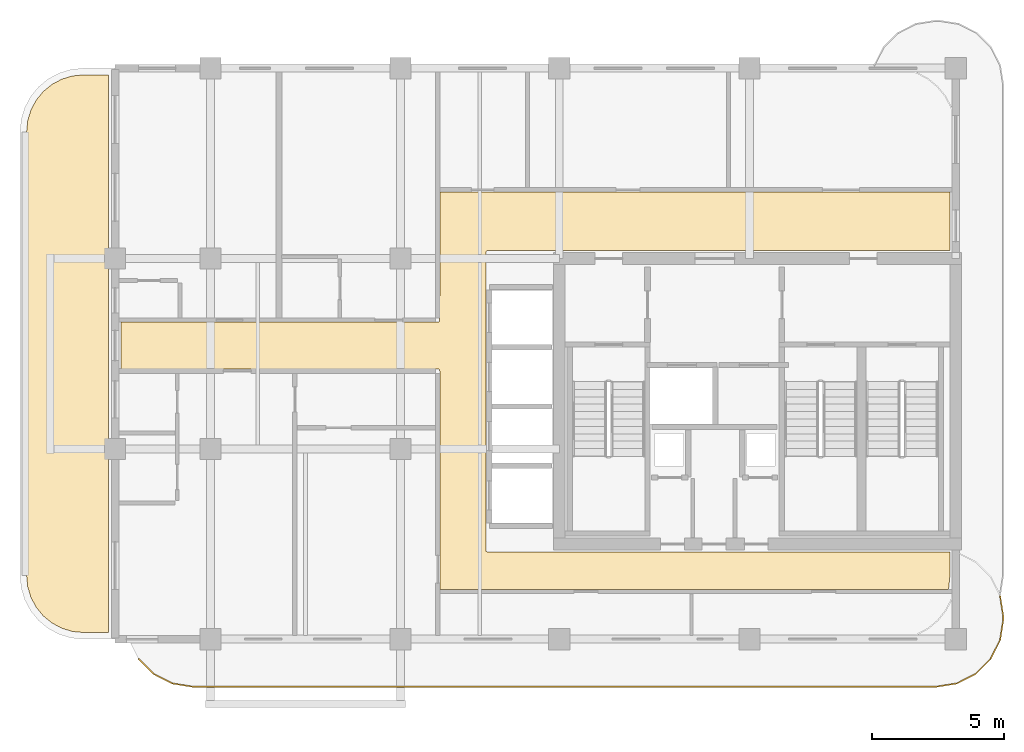
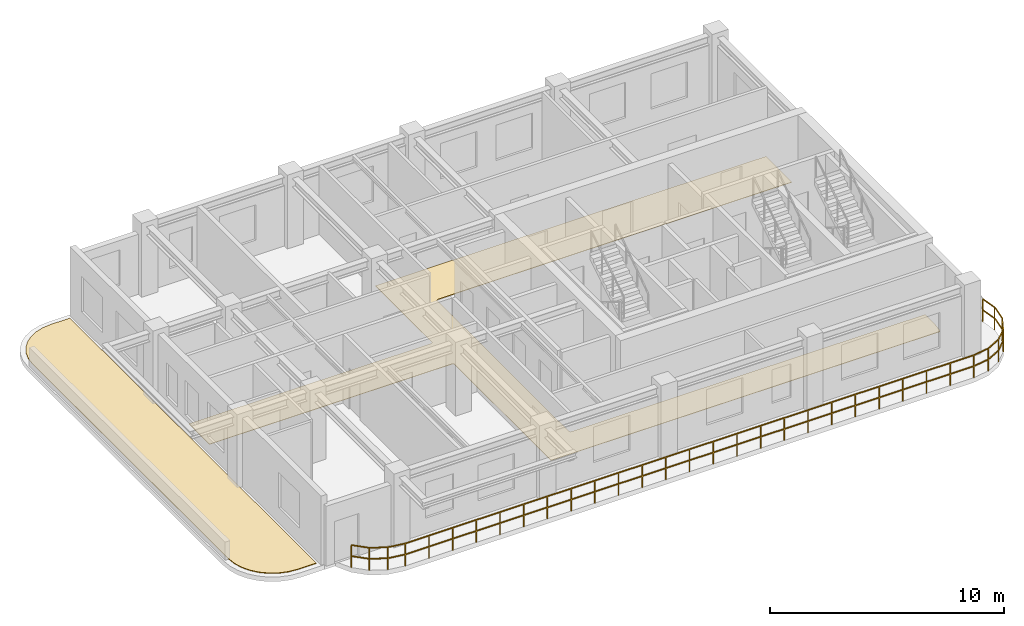
# One storey, part 6 of 7: 2 coverings, 1 railing.
"""IFC4 building model written with IfcOpenShell, lengths in metres."""

from ifc_helpers import new_model, si_unit, derived_unit, direction, frame, origin, origin_2d, place, context, subcontext, project, spatial, polyline, rectangle, outline, extrude, material, layer, layer_set, type_object, element, save


model = new_model("IFC4")

# Units and contexts
model_context = context("Model", 3, precision=1e-05, world=origin(), true_north=direction((0.0, 1.0)))
body_context = subcontext(model_context, "Body", "Model", "MODEL_VIEW")
ifc_project = project(units=[si_unit("LENGTHUNIT", "METRE"), si_unit("AREAUNIT", "SQUARE_METRE"), si_unit("VOLUMEUNIT", "CUBIC_METRE"), si_unit("PLANEANGLEUNIT", "RADIAN"), si_unit("MASSUNIT", "GRAM", prefix="KILO"), si_unit("THERMODYNAMICTEMPERATUREUNIT", "KELVIN"), si_unit("POWERUNIT", "WATT"), derived_unit("THERMALTRANSMITTANCEUNIT", [(si_unit("POWERUNIT", "WATT"), 1), (si_unit("AREAUNIT", "SQUARE_METRE"), -1), (si_unit("THERMODYNAMICTEMPERATUREUNIT", "KELVIN"), -1)])], contexts=[model_context])

# Site, building, storey
site_placement = place(None, origin())
site = spatial("IfcSite", under=ifc_project, at=site_placement, CompositionType="ELEMENT")
building_placement = place(site_placement, origin())
building = spatial("IfcBuilding", under=site, at=building_placement, Name="Zahravan Archway Hotel and Residences", CompositionType="ELEMENT")
storey_placement = place(building_placement, frame((0.0, 0.0, 251.949951171875)))
storey = spatial("IfcBuildingStorey", under=building, at=storey_placement, Name="L63", CompositionType="ELEMENT", Elevation=251.949951171875)

# Coverings
ifc_material_1 = material(Name="Engineered Walnut Parquet Flooring")
ifc_layer_1 = layer(ifc_material_1, 0.02197265625, Name="Engineered Walnut Parquet Flooring")
ifc_layer_set_1 = layer_set([ifc_layer_1], Name="Engineered Walnut Parquet Flooring")
covering_type_1 = type_object("IfcCoveringType", Name="COV-FLR-TIMB", PredefinedType="FLOORING", material=ifc_layer_set_1)
covering_1_placement = place(storey_placement, origin())
element("IfcCovering", 1, at=covering_1_placement, inside=storey, type_object=covering_type_1, Name="L63 Circulation Floor Finish", PredefinedType="FLOORING", context=body_context, shape_type="SweptSolid", body=[
    extrude(outline(polyline([(30.215576171875, 11.991455078125), (30.256591796875, 12.013427734375), (30.278564453125, 12.054443359375), (30.280029296875, 16.919921875), (49.580078125, 16.919921875), (49.580078125, 14.705078125), (32.10009765625, 14.705078125), (32.0556640625, 14.69140625), (32.026123046875, 14.655517578125), (32.02001953125, 3.375), (32.033447265625, 3.33056640625), (32.0693359375, 3.301025390625), (49.580078125, 3.294921875), (49.580078125, 2.410888671875), (49.537109375, 1.974853515625), (49.50830078125, 1.8798828125), (30.280029296875, 1.8798828125), (30.280029296875, 10.14990234375), (30.2666015625, 10.1943359375), (30.230712890625, 10.223876953125), (18.219970703125, 10.22998046875), (18.219970703125, 11.989990234375), (30.199951171875, 11.989990234375), (30.215576171875, 11.991455078125)])), origin(), (0.0, 0.0, 1.0), 0.02197265625),
])
ifc_material_2 = material(Name="Elastomeric Reflective Roof Waterproofing")
ifc_layer_2 = layer(ifc_material_2, 0.034912109375, Name="Elastomeric Reflective Roof Waterproofing")
ifc_layer_set_2 = layer_set([ifc_layer_2], Name="Elastomeric Reflective Roof Waterproofing")
covering_type_2 = type_object("IfcCoveringType", Name="COV-ROOF-MEMB", PredefinedType="ROOFING", material=ifc_layer_set_2)
covering_2_placement = place(storey_placement, origin())
element("IfcCovering", 2, at=covering_2_placement, inside=storey, type_object=covering_type_2, Name="L63 Elastomeric Roof Membrane (SLB-L63-SETBACK-1)", PredefinedType="ROOFING", context=body_context, shape_type="SweptSolid", body=[
    extrude(outline(polyline([(16.380859375, 0.29248046875), (15.977783203125, 0.414794921875), (15.606201171875, 0.61328125), (15.280517578125, 0.880615234375), (15.013427734375, 1.2060546875), (14.814697265625, 1.57763671875), (14.6923828125, 1.980712890625), (14.64990234375, 2.412353515625), (14.64990234375, 19.187744140625), (14.6923828125, 19.619140625), (14.814697265625, 20.022216796875), (15.013427734375, 20.393798828125), (15.280517578125, 20.719482421875), (15.606201171875, 20.986572265625), (15.977783203125, 21.185302734375), (16.380859375, 21.3076171875), (16.812255859375, 21.35009765625), (17.739990234375, 21.35009765625), (17.739990234375, 0.25), (16.812255859375, 0.25), (16.380859375, 0.29248046875)])), origin(), (0.0, 0.0, 1.0), 0.03515625),
])

# Railing
ifc_material_3 = material(Name="Bronze & Laminated Glass Balustrade", Category="glass")
railing_type = type_object("IfcRailingType", Name="RL-BAL-1200", PredefinedType="BALUSTRADE", material=ifc_material_3)
railing_placement = place(storey_placement, frame((51.47509765625, 1.637939453125, 0.0)))
element("IfcRailing", 3, at=railing_placement, inside=storey, type_object=railing_type, Name="L63 Balustrade RL-SLB-BAL-L63-SA-1", PredefinedType="BALUSTRADE", context=body_context, shape_type="SweptSolid", body=[
    extrude(rectangle(XDim=0.048095703125, YDim=0.048095703125, at=origin_2d()), frame((0.0, 0.0, 1.17578125), z_axis=(0.156701202656, -0.987646056584, 0.0), x_axis=(0.987646056584, 0.156701202656, 0.0)), (0.0, 0.0, 1.0), 0.797607421875),
    extrude(rectangle(XDim=0.048095703125, YDim=0.048095703125, at=origin_2d()), frame((0.0, 0.0, 0.60009765625), z_axis=(0.156701202656, -0.987646056584, 0.0), x_axis=(0.987646056584, 0.156701202656, 0.0)), (0.0, 0.0, 1.0), 0.797607421875),
    extrude(rectangle(XDim=0.048095703125, YDim=0.048095703125, at=origin_2d()), frame((0.125, -0.787841796875, 1.17578125), z_axis=(0.0, -1.0, 0.0), x_axis=(1.0, 0.0, 0.0)), (0.0, 0.0, 1.0), 0.10009765625),
    extrude(rectangle(XDim=0.048095703125, YDim=0.048095703125, at=origin_2d()), frame((0.125, -0.787841796875, 0.60009765625), z_axis=(0.0, -1.0, 0.0), x_axis=(1.0, 0.0, 0.0)), (0.0, 0.0, 1.0), 0.10009765625),
    extrude(rectangle(XDim=0.048095703125, YDim=0.048095703125, at=origin_2d()), frame((0.125, -0.887939453125, 1.17578125), z_axis=(-0.156653849773, -0.98765356849, 0.0), x_axis=(0.98765356849, -0.156653849773, 0.0)), (0.0, 0.0, 1.0), 0.7978515625),
    extrude(rectangle(XDim=0.048095703125, YDim=0.048095703125, at=origin_2d()), frame((0.125, -0.887939453125, 0.60009765625), z_axis=(-0.156653849773, -0.98765356849, 0.0), x_axis=(0.98765356849, -0.156653849773, 0.0)), (0.0, 0.0, 1.0), 0.7978515625),
    extrude(rectangle(XDim=0.048095703125, YDim=0.048095703125, at=origin_2d()), frame((0.0, -1.676025390625, 1.17578125), z_axis=(-0.453934952053, -0.891034824967, 0.0), x_axis=(0.891034824967, -0.453934952053, 0.0)), (0.0, 0.0, 1.0), 0.797607421875),
    extrude(rectangle(XDim=0.048095703125, YDim=0.048095703125, at=origin_2d()), frame((0.0, -1.676025390625, 0.60009765625), z_axis=(-0.453934952053, -0.891034824967, 0.0), x_axis=(0.891034824967, -0.453934952053, 0.0)), (0.0, 0.0, 1.0), 0.797607421875),
    extrude(rectangle(XDim=0.048095703125, YDim=0.048095703125, at=origin_2d()), frame((-0.362060546875, -2.38671875, 1.17578125), z_axis=(-0.707106781187, -0.707106781187, 0.0), x_axis=(0.707106781187, -0.707106781187, 0.0)), (0.0, 0.0, 1.0), 0.7978515625),
    extrude(rectangle(XDim=0.048095703125, YDim=0.048095703125, at=origin_2d()), frame((-0.362060546875, -2.38671875, 0.60009765625), z_axis=(-0.707106781187, -0.707106781187, 0.0), x_axis=(0.707106781187, -0.707106781187, 0.0)), (0.0, 0.0, 1.0), 0.7978515625),
    extrude(rectangle(XDim=0.048095703125, YDim=0.048095703125, at=origin_2d()), frame((-0.92626953125, -2.950927734375, 1.17578125), z_axis=(-0.890974108706, -0.454054113091, 0.0), x_axis=(0.454054113091, -0.890974108706, 0.0)), (0.0, 0.0, 1.0), 0.7978515625),
    extrude(rectangle(XDim=0.048095703125, YDim=0.048095703125, at=origin_2d()), frame((-0.92626953125, -2.950927734375, 0.60009765625), z_axis=(-0.890974108706, -0.454054113091, 0.0), x_axis=(0.454054113091, -0.890974108706, 0.0)), (0.0, 0.0, 1.0), 0.7978515625),
    extrude(rectangle(XDim=0.048095703125, YDim=0.048095703125, at=origin_2d()), frame((-1.63720703125, -3.313232421875, 1.17578125), z_axis=(-0.987693380745, -0.156402639467, 0.0), x_axis=(0.156402639467, -0.987693380745, 0.0)), (0.0, 0.0, 1.0), 0.797607421875),
    extrude(rectangle(XDim=0.048095703125, YDim=0.048095703125, at=origin_2d()), frame((-1.63720703125, -3.313232421875, 0.60009765625), z_axis=(-0.987693380745, -0.156402639467, 0.0), x_axis=(0.156402639467, -0.987693380745, 0.0)), (0.0, 0.0, 1.0), 0.797607421875),
    extrude(rectangle(XDim=0.048095703125, YDim=0.048095703125, at=origin_2d()), frame((-2.425048828125, -3.43798828125, 1.17578125), z_axis=(-1.0, 0.0, 0.0), x_axis=(0.0, -1.0, 0.0)), (0.0, 0.0, 1.0), 28.10009765625),
    extrude(rectangle(XDim=0.048095703125, YDim=0.048095703125, at=origin_2d()), frame((-2.425048828125, -3.43798828125, 0.60009765625), z_axis=(-1.0, 0.0, 0.0), x_axis=(0.0, -1.0, 0.0)), (0.0, 0.0, 1.0), 28.10009765625),
    extrude(rectangle(XDim=0.048095703125, YDim=0.048095703125, at=origin_2d()), frame((-30.525146484375, -3.43798828125, 1.17578125), z_axis=(-0.987693380745, 0.156402639467, 0.0), x_axis=(-0.156402639467, -0.987693380745, 0.0)), (0.0, 0.0, 1.0), 0.797607421875),
    extrude(rectangle(XDim=0.048095703125, YDim=0.048095703125, at=origin_2d()), frame((-30.525146484375, -3.43798828125, 0.60009765625), z_axis=(-0.987693380745, 0.156402639467, 0.0), x_axis=(-0.156402639467, -0.987693380745, 0.0)), (0.0, 0.0, 1.0), 0.797607421875),
    extrude(rectangle(XDim=0.048095703125, YDim=0.048095703125, at=origin_2d()), frame((-31.31298828125, -3.313232421875, 1.17578125), z_axis=(-0.890974108706, 0.454054113091, 0.0), x_axis=(-0.454054113091, -0.890974108706, 0.0)), (0.0, 0.0, 1.0), 0.7978515625),
    extrude(rectangle(XDim=0.048095703125, YDim=0.048095703125, at=origin_2d()), frame((-31.31298828125, -3.313232421875, 0.60009765625), z_axis=(-0.890974108706, 0.454054113091, 0.0), x_axis=(-0.454054113091, -0.890974108706, 0.0)), (0.0, 0.0, 1.0), 0.7978515625),
    extrude(rectangle(XDim=0.048095703125, YDim=0.048095703125, at=origin_2d()), frame((-32.02392578125, -2.950927734375, 1.17578125), z_axis=(-0.707106781187, 0.707106781187, 0.0), x_axis=(-0.707106781187, -0.707106781187, 0.0)), (0.0, 0.0, 1.0), 0.7978515625),
    extrude(rectangle(XDim=0.048095703125, YDim=0.048095703125, at=origin_2d()), frame((-32.02392578125, -2.950927734375, 0.60009765625), z_axis=(-0.707106781187, 0.707106781187, 0.0), x_axis=(-0.707106781187, -0.707106781187, 0.0)), (0.0, 0.0, 1.0), 0.7978515625),
    extrude(rectangle(XDim=0.0419921875, YDim=0.0419921875, at=origin_2d()), origin(), (0.0, 0.0, 1.0), 1.15185546875),
    extrude(rectangle(XDim=0.0419921875, YDim=0.0419921875, at=origin_2d()), frame((0.125, -0.787841796875, 0.0)), (0.0, 0.0, 1.0), 1.15185546875),
    extrude(rectangle(XDim=0.0419921875, YDim=0.0419921875, at=origin_2d()), frame((0.0, -1.676025390625, 0.0)), (0.0, 0.0, 1.0), 1.15185546875),
    extrude(rectangle(XDim=0.0419921875, YDim=0.0419921875, at=origin_2d()), frame((-0.362060546875, -2.38671875, 0.0)), (0.0, 0.0, 1.0), 1.15185546875),
    extrude(rectangle(XDim=0.0419921875, YDim=0.0419921875, at=origin_2d()), frame((-0.92626953125, -2.950927734375, 0.0)), (0.0, 0.0, 1.0), 1.15185546875),
    extrude(rectangle(XDim=0.0419921875, YDim=0.0419921875, at=origin_2d()), frame((-1.63720703125, -3.313232421875, 0.0)), (0.0, 0.0, 1.0), 1.15185546875),
    extrude(rectangle(XDim=0.0419921875, YDim=0.0419921875, at=origin_2d()), frame((-2.425048828125, -3.43798828125, 0.0)), (0.0, 0.0, 1.0), 1.15185546875),
    extrude(rectangle(XDim=0.0419921875, YDim=0.0419921875, at=origin_2d()), frame((-3.595947265625, -3.43798828125, 0.0)), (0.0, 0.0, 1.0), 1.15185546875),
    extrude(rectangle(XDim=0.0419921875, YDim=0.0419921875, at=origin_2d()), frame((-4.7666015625, -3.43798828125, 0.0)), (0.0, 0.0, 1.0), 1.15185546875),
    extrude(rectangle(XDim=0.0419921875, YDim=0.0419921875, at=origin_2d()), frame((-5.9375, -3.43798828125, 0.0)), (0.0, 0.0, 1.0), 1.15185546875),
    extrude(rectangle(XDim=0.0419921875, YDim=0.0419921875, at=origin_2d()), frame((-7.1083984375, -3.43798828125, 0.0)), (0.0, 0.0, 1.0), 1.15185546875),
    extrude(rectangle(XDim=0.0419921875, YDim=0.0419921875, at=origin_2d()), frame((-8.279296875, -3.43798828125, 0.0)), (0.0, 0.0, 1.0), 1.15185546875),
    extrude(rectangle(XDim=0.0419921875, YDim=0.0419921875, at=origin_2d()), frame((-9.4501953125, -3.43798828125, 0.0)), (0.0, 0.0, 1.0), 1.15185546875),
    extrude(rectangle(XDim=0.0419921875, YDim=0.0419921875, at=origin_2d()), frame((-10.620849609375, -3.43798828125, 0.0)), (0.0, 0.0, 1.0), 1.15185546875),
    extrude(rectangle(XDim=0.0419921875, YDim=0.0419921875, at=origin_2d()), frame((-11.791748046875, -3.43798828125, 0.0)), (0.0, 0.0, 1.0), 1.15185546875),
    extrude(rectangle(XDim=0.0419921875, YDim=0.0419921875, at=origin_2d()), frame((-12.962646484375, -3.43798828125, 0.0)), (0.0, 0.0, 1.0), 1.15185546875),
    extrude(rectangle(XDim=0.0419921875, YDim=0.0419921875, at=origin_2d()), frame((-14.13330078125, -3.43798828125, 0.0)), (0.0, 0.0, 1.0), 1.15185546875),
    extrude(rectangle(XDim=0.0419921875, YDim=0.0419921875, at=origin_2d()), frame((-15.30419921875, -3.43798828125, 0.0)), (0.0, 0.0, 1.0), 1.15185546875),
    extrude(rectangle(XDim=0.0419921875, YDim=0.0419921875, at=origin_2d()), frame((-16.47509765625, -3.43798828125, 0.0)), (0.0, 0.0, 1.0), 1.15185546875),
    extrude(rectangle(XDim=0.0419921875, YDim=0.0419921875, at=origin_2d()), frame((-17.64599609375, -3.43798828125, 0.0)), (0.0, 0.0, 1.0), 1.15185546875),
    extrude(rectangle(XDim=0.0419921875, YDim=0.0419921875, at=origin_2d()), frame((-18.81689453125, -3.43798828125, 0.0)), (0.0, 0.0, 1.0), 1.15185546875),
    extrude(rectangle(XDim=0.0419921875, YDim=0.0419921875, at=origin_2d()), frame((-19.987548828125, -3.43798828125, 0.0)), (0.0, 0.0, 1.0), 1.15185546875),
    extrude(rectangle(XDim=0.0419921875, YDim=0.0419921875, at=origin_2d()), frame((-21.158447265625, -3.43798828125, 0.0)), (0.0, 0.0, 1.0), 1.15185546875),
    extrude(rectangle(XDim=0.0419921875, YDim=0.0419921875, at=origin_2d()), frame((-22.329345703125, -3.43798828125, 0.0)), (0.0, 0.0, 1.0), 1.15185546875),
    extrude(rectangle(XDim=0.0419921875, YDim=0.0419921875, at=origin_2d()), frame((-23.5, -3.43798828125, 0.0)), (0.0, 0.0, 1.0), 1.15185546875),
    extrude(rectangle(XDim=0.0419921875, YDim=0.0419921875, at=origin_2d()), frame((-24.6708984375, -3.43798828125, 0.0)), (0.0, 0.0, 1.0), 1.15185546875),
    extrude(rectangle(XDim=0.0419921875, YDim=0.0419921875, at=origin_2d()), frame((-25.841796875, -3.43798828125, 0.0)), (0.0, 0.0, 1.0), 1.15185546875),
    extrude(rectangle(XDim=0.0419921875, YDim=0.0419921875, at=origin_2d()), frame((-27.0126953125, -3.43798828125, 0.0)), (0.0, 0.0, 1.0), 1.15185546875),
    extrude(rectangle(XDim=0.0419921875, YDim=0.0419921875, at=origin_2d()), frame((-28.18359375, -3.43798828125, 0.0)), (0.0, 0.0, 1.0), 1.15185546875),
    extrude(rectangle(XDim=0.0419921875, YDim=0.0419921875, at=origin_2d()), frame((-29.354248046875, -3.43798828125, 0.0)), (0.0, 0.0, 1.0), 1.15185546875),
    extrude(rectangle(XDim=0.0419921875, YDim=0.0419921875, at=origin_2d()), frame((-30.525146484375, -3.43798828125, 0.0)), (0.0, 0.0, 1.0), 1.15185546875),
    extrude(rectangle(XDim=0.0419921875, YDim=0.0419921875, at=origin_2d()), frame((-31.31298828125, -3.313232421875, 0.0)), (0.0, 0.0, 1.0), 1.15185546875),
    extrude(rectangle(XDim=0.0419921875, YDim=0.0419921875, at=origin_2d()), frame((-32.02392578125, -2.950927734375, 0.0)), (0.0, 0.0, 1.0), 1.15185546875),
    extrude(rectangle(XDim=0.0419921875, YDim=0.0419921875, at=origin_2d()), frame((-32.588134765625, -2.38671875, 0.0)), (0.0, 0.0, 1.0), 1.15185546875),
])

save(model, "model.ifc")
